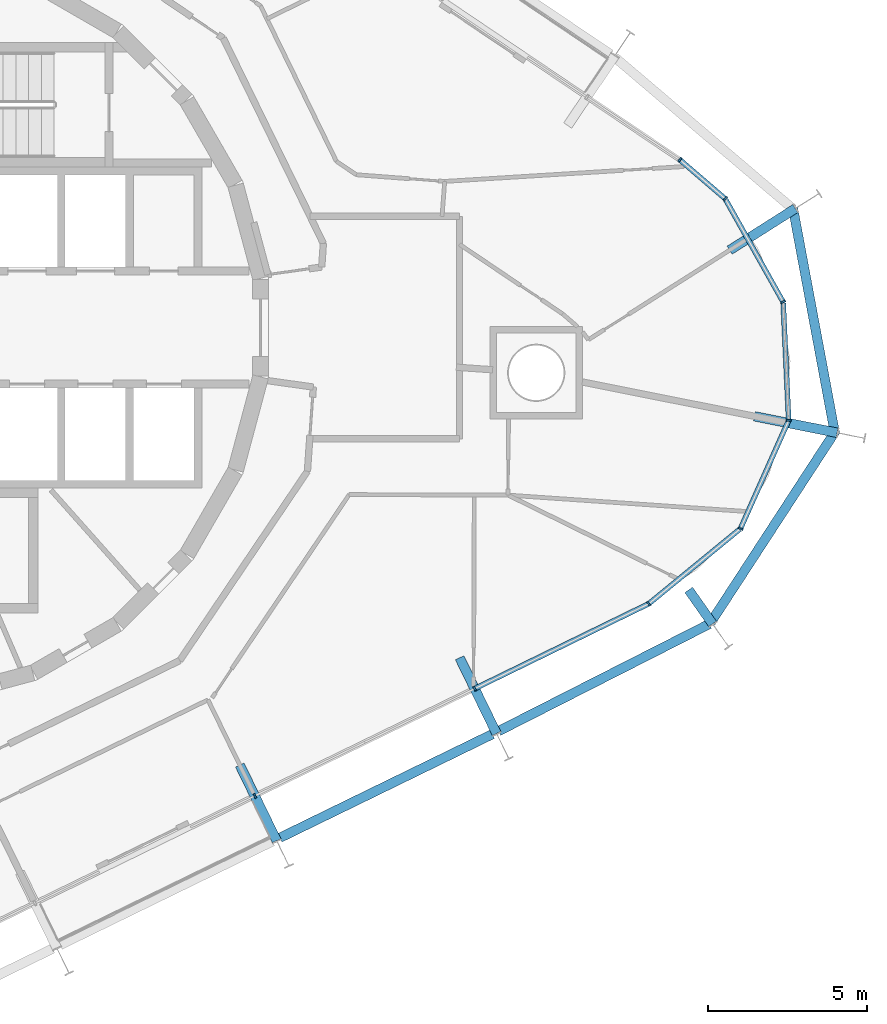
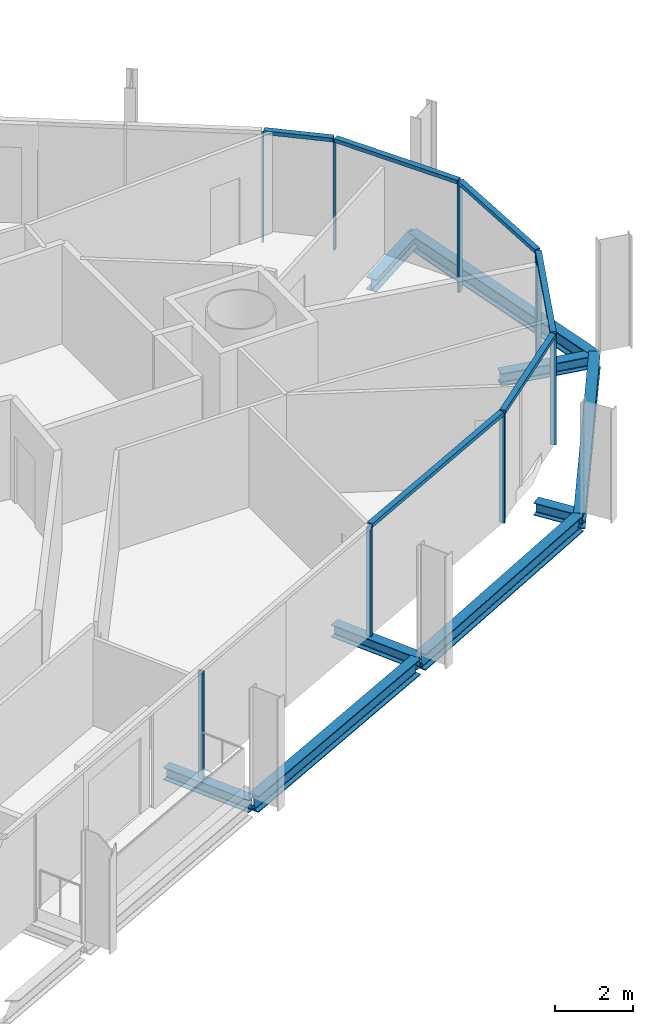
# One storey, part 5 of 17: 14 members, 9 beams, 2 elements without a shape of their own.
"""IFC4 building model written with IfcOpenShell, lengths in metres."""

from ifc_helpers import new_model, si_unit, direction, frame, origin, origin_2d, place, context, subcontext, project, spatial, rectangle, i_section, extrude, material, layer, layer_set, material_profile, profile_set, type_object, element, aggregate, save


model = new_model("IFC4")

# Units and contexts
model_context = context("Model", 3, precision=1e-05, world=origin(), true_north=direction((0.0, 1.0)))
body_context = subcontext(model_context, "Body", "Model", "MODEL_VIEW")
ifc_project = project(units=[si_unit("LENGTHUNIT", "METRE"), si_unit("AREAUNIT", "SQUARE_METRE"), si_unit("VOLUMEUNIT", "CUBIC_METRE"), si_unit("PLANEANGLEUNIT", "RADIAN"), si_unit("MASSUNIT", "GRAM", prefix="KILO")], contexts=[model_context])

# Site, building, storey
site_placement = place(None, origin())
site = spatial("IfcSite", under=ifc_project, at=site_placement, CompositionType="ELEMENT")
building_placement = place(site_placement, origin())
building = spatial("IfcBuilding", under=site, at=building_placement, Name="Spindle Arch Residences", CompositionType="ELEMENT")
storey_placement = place(building_placement, frame((0.0, 0.0, 212.89990234375)))
storey = spatial("IfcBuildingStorey", under=building, at=storey_placement, Name="L54", CompositionType="ELEMENT", Elevation=212.89990234375)

# Curtain wall, members
ifc_material_1 = material(Name="Aluminium bronze unitised frame with tinted glass", Category="aluminium")
ifc_layer_1 = layer(ifc_material_1, 0.159912109375)
ifc_layer_set_1 = layer_set([ifc_layer_1], Name="CW-D corner wall on the fillet arcs")
curtain_wall_type_1 = type_object("IfcCurtainWallType", Name="CW-D corner wall on the fillet arcs", PredefinedType="NOTDEFINED", material=ifc_layer_set_1)
curtain_wall_1_placement = place(storey_placement, origin())
curtain_wall_1 = element("IfcCurtainWall", 1, at=curtain_wall_1_placement, inside=storey, type_object=curtain_wall_type_1, Name="CW-D L54 run 1", PredefinedType="NOTDEFINED")
ifc_material_2 = material(Name="Aluminium bronze anodised mullion", Category="aluminium")
ifc_material_profile_1 = material_profile(ifc_material_2, rectangle(XDim=0.159912109375, YDim=0.06005859375, at=origin_2d()), Name="MU 60x160")
ifc_profile_set_1 = profile_set([ifc_material_profile_1], Name="Aluminium bronze anodised mullion")
member_type_1 = type_object("IfcMemberType", Name="Bronze mullion 60x160", PredefinedType="MULLION", material=ifc_profile_set_1)
member_1_placement = place(storey_placement, frame((18.377685546875, -11.353515625, -0.3798828125), z_axis=(0.0, 0.0, 1.0), x_axis=(-0.438371146789, 0.898794046299, 0.0)))
member_1 = element("IfcMember", 2, at=member_1_placement, type_object=member_type_1, Name="CW-D mullion 00", PredefinedType="MULLION", context=body_context, shape_type="SweptSolid", body=[
    extrude(rectangle(XDim=0.159912109375, YDim=0.06005859375, at=origin_2d()), origin(), (0.0, 0.0, 1.0), 3.3798828125),
])
member_2_placement = place(storey_placement, frame((23.85400390625, -8.6826171875, -0.3798828125), z_axis=(0.0, 0.0, 1.0), x_axis=(-0.633830963722, 0.773471595747, 0.0)))
member_2 = element("IfcMember", 3, at=member_2_placement, type_object=member_type_1, Name="CW-D mullion 01", PredefinedType="MULLION", context=body_context, shape_type="SweptSolid", body=[
    extrude(rectangle(XDim=0.159912109375, YDim=0.06005859375, at=origin_2d()), origin(), (0.0, 0.0, 1.0), 3.3798828125),
])
member_3_placement = place(storey_placement, frame((26.736572265625, -6.320556640625, -0.3798828125), z_axis=(0.0, 0.0, 1.0), x_axis=(-0.913545457934, 0.406736642422, 0.0)))
member_3 = element("IfcMember", 4, at=member_3_placement, type_object=member_type_1, Name="CW-D mullion 02", PredefinedType="MULLION", context=body_context, shape_type="SweptSolid", body=[
    extrude(rectangle(XDim=0.159912109375, YDim=0.06005859375, at=origin_2d()), origin(), (0.0, 0.0, 1.0), 3.3798828125),
])
member_4_placement = place(storey_placement, frame((28.252197265625, -2.916015625, -0.3798828125), z_axis=(0.0, 0.0, 1.0), x_axis=(-0.99891711126, -0.046525313877, 0.0)))
member_4 = element("IfcMember", 5, at=member_4_placement, type_object=member_type_1, Name="CW-D mullion 03", PredefinedType="MULLION", context=body_context, shape_type="SweptSolid", body=[
    extrude(rectangle(XDim=0.159912109375, YDim=0.06005859375, at=origin_2d()), origin(), (0.0, 0.0, 1.0), 3.3798828125),
])
member_5_placement = place(storey_placement, frame((28.078857421875, 0.806884765625, -0.3798828125), z_axis=(0.0, 0.0, 1.0), x_axis=(-0.871784414743, -0.489889716377, 0.0)))
member_5 = element("IfcMember", 6, at=member_5_placement, type_object=member_type_1, Name="CW-D mullion 04", PredefinedType="MULLION", context=body_context, shape_type="SweptSolid", body=[
    extrude(rectangle(XDim=0.159912109375, YDim=0.06005859375, at=origin_2d()), origin(), (0.0, 0.0, 1.0), 3.3798828125),
])
member_6_placement = place(storey_placement, frame((26.253173828125, 4.0556640625, -0.3798828125), z_axis=(0.0, 0.0, 1.0), x_axis=(-0.651657229382, -0.758513582867, 0.0)))
member_6 = element("IfcMember", 7, at=member_6_placement, type_object=member_type_1, Name="CW-D mullion 05", PredefinedType="MULLION", context=body_context, shape_type="SweptSolid", body=[
    extrude(rectangle(XDim=0.159912109375, YDim=0.06005859375, at=origin_2d()), origin(), (0.0, 0.0, 1.0), 3.3798828125),
])
member_7_placement = place(storey_placement, frame((24.830078125, 5.2783203125, -0.3798828125), z_axis=(0.0, 0.0, 1.0), x_axis=(-0.559192903471, -0.829037572555, 0.0)))
member_7 = element("IfcMember", 8, at=member_7_placement, type_object=member_type_1, Name="CW-D mullion 06", PredefinedType="MULLION", context=body_context, shape_type="SweptSolid", body=[
    extrude(rectangle(XDim=0.159912109375, YDim=0.06005859375, at=origin_2d()), origin(), (0.0, 0.0, 1.0), 3.3798828125),
])

# Curtain wall, member
ifc_material_3 = material(Name="Aluminium bronze unitised frame with tinted glass", Category="aluminium")
ifc_layer_2 = layer(ifc_material_3, 0.159912109375)
ifc_layer_set_2 = layer_set([ifc_layer_2], Name="CW-C typical residential unitised wall")
curtain_wall_type_2 = type_object("IfcCurtainWallType", Name="CW-C typical residential unitised wall", PredefinedType="NOTDEFINED", material=ifc_layer_set_2)
curtain_wall_2_placement = place(storey_placement, origin())
curtain_wall_2 = element("IfcCurtainWall", 9, at=curtain_wall_2_placement, inside=storey, type_object=curtain_wall_type_2, Name="CW-C L54 run 6", PredefinedType="NOTDEFINED")
member_8_placement = place(storey_placement, frame((11.46240234375, -14.726318359375, -0.3798828125), z_axis=(0.0, 0.0, 1.0), x_axis=(-0.438371146789, 0.898794046299, 0.0)))
member_8 = element("IfcMember", 10, at=member_8_placement, type_object=member_type_1, Name="CW-C mullion 00", PredefinedType="MULLION", context=body_context, shape_type="SweptSolid", body=[
    extrude(rectangle(XDim=0.159912109375, YDim=0.06005859375, at=origin_2d()), origin(), (0.0, 0.0, 1.0), 3.3798828125),
])
aggregate(curtain_wall_2, [member_8])

# Member
ifc_material_4 = material(Name="Aluminium bronze anodised transom", Category="aluminium")
ifc_material_profile_2 = material_profile(ifc_material_4, rectangle(XDim=0.159912109375, YDim=0.1201171875, at=origin_2d()), Name="TR 120x160")
ifc_profile_set_2 = profile_set([ifc_material_profile_2], Name="Aluminium bronze anodised transom")
member_type_2 = type_object("IfcMemberType", Name="Bronze transom 120x160", PredefinedType="USERDEFINED", material=ifc_profile_set_2)
member_9_placement = place(storey_placement, frame((18.404541015625, -11.340576171875, 3.06005859375), z_axis=(0.898786724344, 0.438386158704, 0.0), x_axis=(-0.438386158704, 0.898786724344, 0.0)))
member_9 = element("IfcMember", 11, at=member_9_placement, type_object=member_type_2, Name="CW-D transom 00", ObjectType="TRANSOM", PredefinedType="USERDEFINED", context=body_context, shape_type="SweptSolid", body=[
    extrude(rectangle(XDim=0.159912109375, YDim=0.1201171875, at=origin_2d()), origin(), (0.0, 0.0, 1.0), 6.032958984375),
])

member_10_placement = place(storey_placement, frame((23.877197265625, -8.66357421875, 3.06005859375), z_axis=(0.773494307947, 0.633803246737, 0.0), x_axis=(-0.633803246737, 0.773494307947, 0.0)))
member_10 = element("IfcMember", 12, at=member_10_placement, type_object=member_type_2, Name="CW-D transom 01", ObjectType="TRANSOM", PredefinedType="USERDEFINED", context=body_context, shape_type="SweptSolid", body=[
    extrude(rectangle(XDim=0.159912109375, YDim=0.1201171875, at=origin_2d()), origin(), (0.0, 0.0, 1.0), 3.666748046875),
])

member_11_placement = place(storey_placement, frame((26.748779296875, -6.29296875, 3.06005859375), z_axis=(0.406706770356, 0.913558757249, 0.0), x_axis=(-0.913558757249, 0.406706770356, 0.0)))
member_11 = element("IfcMember", 13, at=member_11_placement, type_object=member_type_2, Name="CW-D transom 02", ObjectType="TRANSOM", PredefinedType="USERDEFINED", context=body_context, shape_type="SweptSolid", body=[
    extrude(rectangle(XDim=0.159912109375, YDim=0.1201171875, at=origin_2d()), origin(), (0.0, 0.0, 1.0), 3.66650390625),
])

member_12_placement = place(storey_placement, frame((28.2509765625, -2.885986328125, 3.06005859375), z_axis=(-0.046540197037, 0.998916417955, 0.0), x_axis=(-0.998916417955, -0.046540197037, 0.0)))
member_12 = element("IfcMember", 14, at=member_12_placement, type_object=member_type_2, Name="CW-D transom 03", ObjectType="TRANSOM", PredefinedType="USERDEFINED", context=body_context, shape_type="SweptSolid", body=[
    extrude(rectangle(XDim=0.159912109375, YDim=0.1201171875, at=origin_2d()), origin(), (0.0, 0.0, 1.0), 3.666748046875),
])

member_13_placement = place(storey_placement, frame((28.064208984375, 0.8330078125, 3.06005859375), z_axis=(-0.489916630118, 0.871769290314, 0.0), x_axis=(-0.871769290314, -0.489916630118, 0.0)))
member_13 = element("IfcMember", 15, at=member_13_placement, type_object=member_type_2, Name="CW-D transom 04", ObjectType="TRANSOM", PredefinedType="USERDEFINED", context=body_context, shape_type="SweptSolid", body=[
    extrude(rectangle(XDim=0.159912109375, YDim=0.1201171875, at=origin_2d()), origin(), (0.0, 0.0, 1.0), 3.666748046875),
])

member_14_placement = place(storey_placement, frame((26.23046875, 4.0751953125, 3.06005859375), z_axis=(-0.758458936913, 0.651720830584, 0.0), x_axis=(-0.651720830584, -0.758458936913, 0.0)))
member_14 = element("IfcMember", 16, at=member_14_placement, type_object=member_type_2, Name="CW-D transom 05", ObjectType="TRANSOM", PredefinedType="USERDEFINED", context=body_context, shape_type="SweptSolid", body=[
    extrude(rectangle(XDim=0.159912109375, YDim=0.1201171875, at=origin_2d()), origin(), (0.0, 0.0, 1.0), 1.816162109375),
])

aggregate(curtain_wall_1, [member_1, member_9, member_2, member_10, member_3, member_11, member_4, member_12, member_5, member_13, member_6, member_14, member_7])

# Beams
ifc_material_5 = material(Name="Steel S460ML, intumescent coating R 120", Category="steel")
ifc_material_profile_3 = material_profile(ifc_material_5, i_section(OverallWidth=0.300048828125, OverallDepth=0.5, WebThickness=0.014404296875, FlangeThickness=0.028076171875, FilletRadius=0.027099609375, at=origin_2d()), Name="HEB 500")
ifc_profile_set_3 = profile_set([ifc_material_profile_3], Name="Steel S460ML, intumescent coating R 120")
beam_type_1 = type_object("IfcBeamType", Name="Exoskeleton edge beam HEB 500", PredefinedType="BEAM", material=ifc_profile_set_3)
beam_1_placement = place(storey_placement, frame((12.25, -16.04443359375, -0.6298828125), z_axis=(0.898804110297, 0.438350511935, 0.0), x_axis=(-0.438350511935, 0.898804110297, 0.0)))
element("IfcBeam", 17, at=beam_1_placement, inside=storey, type_object=beam_type_1, Name="Exoskeleton edge beam 1", PredefinedType="BEAM", context=body_context, shape_type="SweptSolid", body=[
    extrude(i_section(OverallWidth=0.300048828125, OverallDepth=0.5, WebThickness=0.014404296875, FlangeThickness=0.028076171875, FilletRadius=0.027099609375, at=origin_2d()), origin(), (0.0, 0.0, 1.0), 7.43359375),
])
beam_2_placement = place(storey_placement, frame((19.1298828125, -12.688232421875, -0.6298828125), z_axis=(0.891456240157, 0.453106799646, 0.0), x_axis=(-0.453106799646, 0.891456240157, 0.0)))
element("IfcBeam", 18, at=beam_2_placement, inside=storey, type_object=beam_type_1, Name="Exoskeleton edge beam 2", PredefinedType="BEAM", context=body_context, shape_type="SweptSolid", body=[
    extrude(i_section(OverallWidth=0.300048828125, OverallDepth=0.5, WebThickness=0.014404296875, FlangeThickness=0.028076171875, FilletRadius=0.027099609375, at=origin_2d()), origin(), (0.0, 0.0, 1.0), 7.427978515625),
])
beam_3_placement = place(storey_placement, frame((25.777099609375, -9.30908203125, -0.6298828125), z_axis=(0.546059217501, 0.837746579212, 0.0), x_axis=(-0.837746579212, 0.546059217501, 0.0)))
element("IfcBeam", 19, at=beam_3_placement, inside=storey, type_object=beam_type_1, Name="Exoskeleton edge beam 3", PredefinedType="BEAM", context=body_context, shape_type="SweptSolid", body=[
    extrude(i_section(OverallWidth=0.300048828125, OverallDepth=0.5, WebThickness=0.014404296875, FlangeThickness=0.028076171875, FilletRadius=0.027099609375, at=origin_2d()), origin(), (0.0, 0.0, 1.0), 7.249267578125),
])
beam_4_placement = place(storey_placement, frame((29.71142578125, -3.356689453125, -0.6298828125), z_axis=(-0.183047966733, 0.983103983246, 0.0), x_axis=(-0.983103983246, -0.183047966733, 0.0)))
element("IfcBeam", 20, at=beam_4_placement, inside=storey, type_object=beam_type_1, Name="Exoskeleton edge beam 4", PredefinedType="BEAM", context=body_context, shape_type="SweptSolid", body=[
    extrude(i_section(OverallWidth=0.300048828125, OverallDepth=0.5, WebThickness=0.014404296875, FlangeThickness=0.028076171875, FilletRadius=0.027099609375, at=origin_2d()), origin(), (0.0, 0.0, 1.0), 7.2490234375),
])
ifc_material_6 = material(Name="Steel S460ML, intumescent coating R 120", Category="steel")
ifc_material_profile_4 = material_profile(ifc_material_6, i_section(OverallWidth=0.300048828125, OverallDepth=0.389892578125, WebThickness=0.010986328125, FlangeThickness=0.01904296875, FilletRadius=0.027099609375, at=origin_2d()), Name="HEA 400")
ifc_profile_set_4 = profile_set([ifc_material_profile_4], Name="Steel S460ML, intumescent coating R 120")
beam_type_2 = type_object("IfcBeamType", Name="Floor outrigger HEA 400", PredefinedType="BEAM", material=ifc_profile_set_4)
beam_5_placement = place(storey_placement, frame((12.150634765625, -16.137451171875, -0.574951171875), z_axis=(-0.438347395329, 0.898805630272, 0.0), x_axis=(-0.898805630272, -0.438347395329, 0.0)))
element("IfcBeam", 21, at=beam_5_placement, inside=storey, type_object=beam_type_2, Name="Floor outrigger 1", PredefinedType="BEAM", context=body_context, shape_type="SweptSolid", body=[
    extrude(i_section(OverallWidth=0.300048828125, OverallDepth=0.389892578125, WebThickness=0.010986328125, FlangeThickness=0.01904296875, FilletRadius=0.027099609375, at=origin_2d()), origin(), (0.0, 0.0, 1.0), 2.64990234375),
])
beam_6_placement = place(storey_placement, frame((19.06591796875, -12.7646484375, -0.574951171875), z_axis=(-0.438421816972, 0.898769331032, 0.0), x_axis=(-0.898769331032, -0.438421816972, 0.0)))
element("IfcBeam", 22, at=beam_6_placement, inside=storey, type_object=beam_type_2, Name="Floor outrigger 2", PredefinedType="BEAM", context=body_context, shape_type="SweptSolid", body=[
    extrude(i_section(OverallWidth=0.300048828125, OverallDepth=0.389892578125, WebThickness=0.010986328125, FlangeThickness=0.01904296875, FilletRadius=0.027099609375, at=origin_2d()), origin(), (0.0, 0.0, 1.0), 2.650146484375),
])
beam_7_placement = place(storey_placement, frame((25.858154296875, -9.3173828125, -0.574951171875), z_axis=(-0.574827287121, 0.818274764356, 0.0), x_axis=(-0.818274764356, -0.574827287121, 0.0)))
element("IfcBeam", 23, at=beam_7_placement, inside=storey, type_object=beam_type_2, Name="Floor outrigger 3", PredefinedType="BEAM", context=body_context, shape_type="SweptSolid", body=[
    extrude(i_section(OverallWidth=0.300048828125, OverallDepth=0.389892578125, WebThickness=0.010986328125, FlangeThickness=0.01904296875, FilletRadius=0.027099609375, at=origin_2d()), origin(), (0.0, 0.0, 1.0), 1.3076171875),
])
beam_8_placement = place(storey_placement, frame((29.775634765625, -3.306884765625, -0.574951171875), z_axis=(-0.980704498332, 0.195496002392, 0.0), x_axis=(-0.195496002392, -0.980704498332, 0.0)))
element("IfcBeam", 24, at=beam_8_placement, inside=storey, type_object=beam_type_2, Name="Floor outrigger 4", PredefinedType="BEAM", context=body_context, shape_type="SweptSolid", body=[
    extrude(i_section(OverallWidth=0.300048828125, OverallDepth=0.389892578125, WebThickness=0.010986328125, FlangeThickness=0.01904296875, FilletRadius=0.027099609375, at=origin_2d()), origin(), (0.0, 0.0, 1.0), 2.64990234375),
])
beam_9_placement = place(storey_placement, frame((28.46240234375, 3.746337890625, -0.574951171875), z_axis=(-0.844575652312, -0.535436240388, 0.0), x_axis=(0.535436240388, -0.844575652312, 0.0)))
element("IfcBeam", 25, at=beam_9_placement, inside=storey, type_object=beam_type_2, Name="Floor outrigger 5", PredefinedType="BEAM", context=body_context, shape_type="SweptSolid", body=[
    extrude(i_section(OverallWidth=0.300048828125, OverallDepth=0.389892578125, WebThickness=0.010986328125, FlangeThickness=0.01904296875, FilletRadius=0.027099609375, at=origin_2d()), origin(), (0.0, 0.0, 1.0), 2.448974609375),
])

save(model, "model.ifc")
